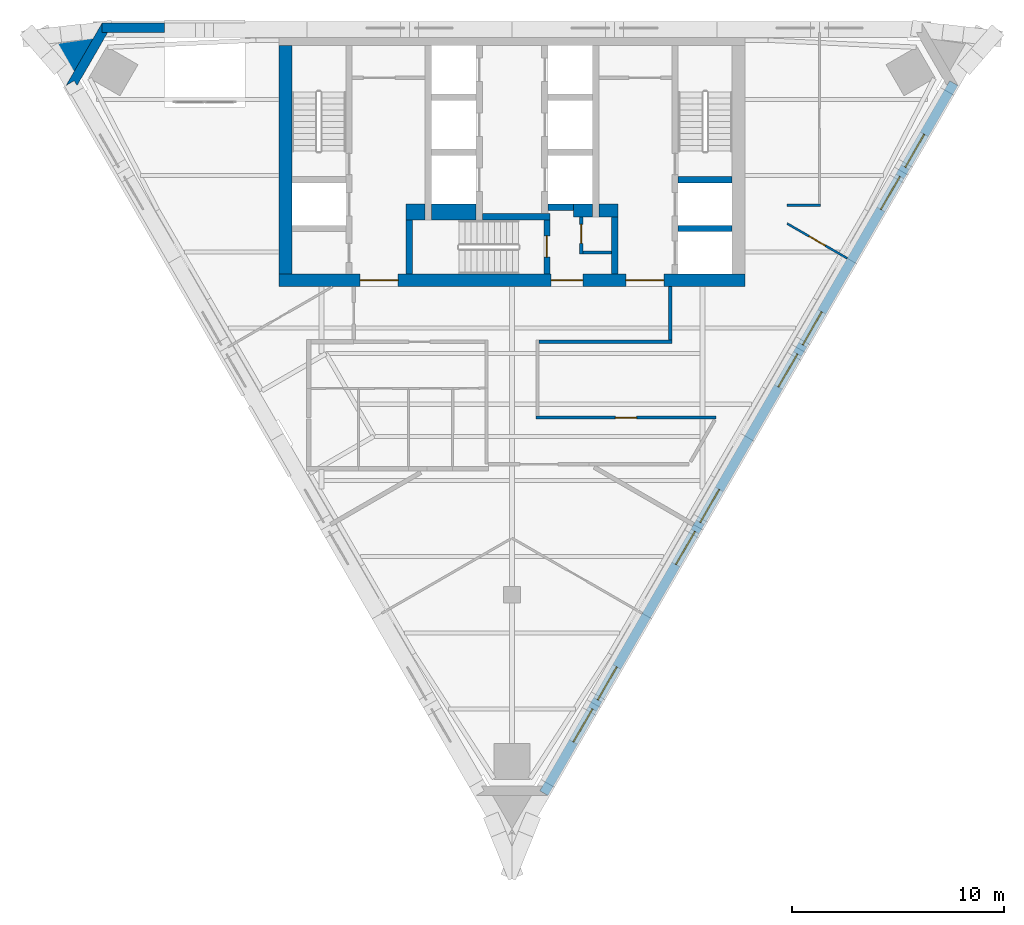
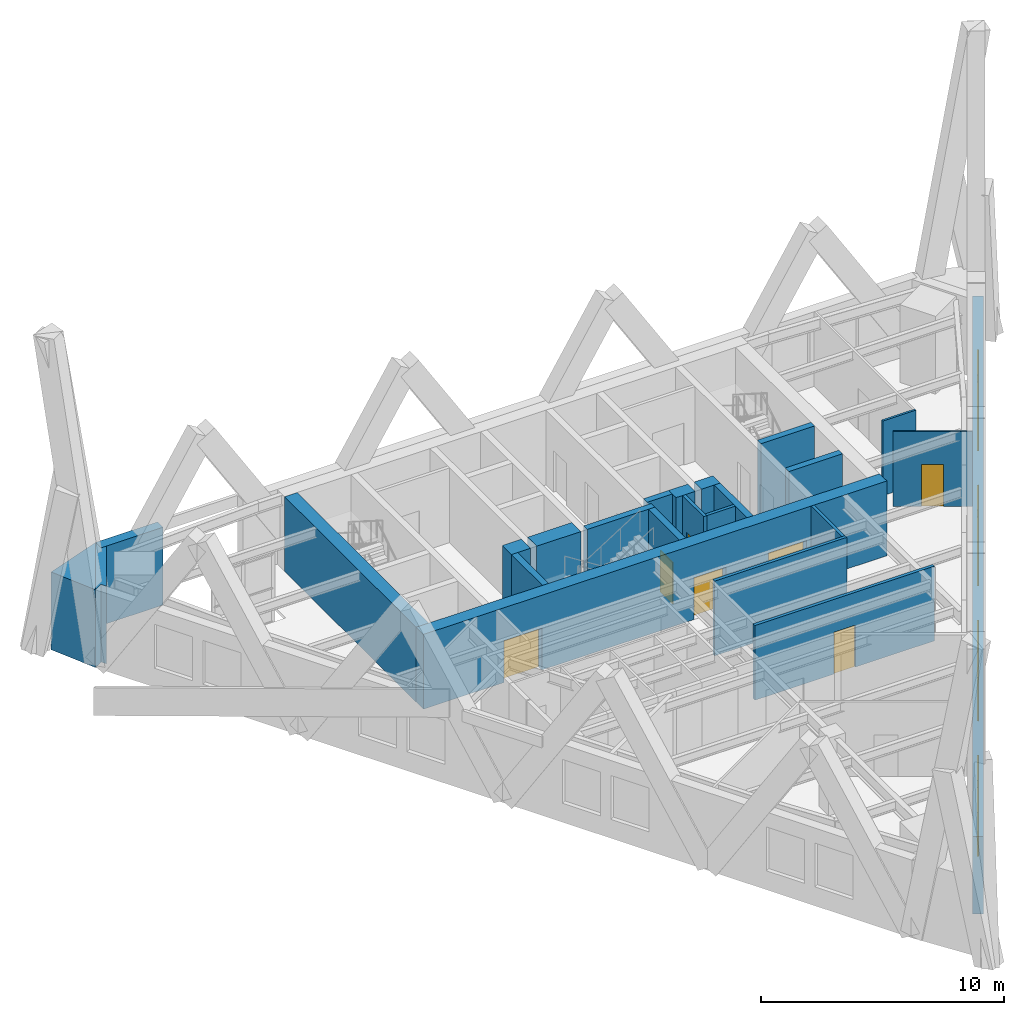
# One storey, part 5 of 9: 24 walls, 8 windows, 7 doors, 15 openings.
"""IFC4 building model written with IfcOpenShell, lengths in metres."""

from ifc_helpers import new_model, si_unit, direction, frame, frame_2d, origin, place, context, subcontext, project, spatial, polyline, rectangle, outline, extrude, material, layer, layer_set, type_object, element, fill, save


model = new_model("IFC4")

# Units and contexts
model_context = context("Model", 3, precision=1e-05, world=origin(), true_north=direction((0.0, 1.0)))
body_context = subcontext(model_context, "Body", "Model", "MODEL_VIEW")
ifc_project = project(units=[si_unit("LENGTHUNIT", "METRE"), si_unit("AREAUNIT", "SQUARE_METRE"), si_unit("VOLUMEUNIT", "CUBIC_METRE"), si_unit("PLANEANGLEUNIT", "RADIAN"), si_unit("MASSUNIT", "GRAM", prefix="KILO")], contexts=[model_context])

# Site, building, storey
site_placement = place(None, origin())
site = spatial("IfcSite", under=ifc_project, at=site_placement, CompositionType="ELEMENT")
building_placement = place(site_placement, origin())
building = spatial("IfcBuilding", under=site, at=building_placement, Name="Aloe Facet Convention Tower", CompositionType="ELEMENT")
storey_placement = place(building_placement, frame((0.0, 0.0, 195.800048828125)))
storey = spatial("IfcBuildingStorey", under=building, at=storey_placement, Name="L49", CompositionType="ELEMENT", Elevation=195.800048828125)

# Wall, opening, door
ifc_material_1 = material(Name="Concrete blockwork partition", Category="masonry")
ifc_layer_1 = layer(ifc_material_1, 0.14990234375)
ifc_layer_set_1 = layer_set([ifc_layer_1], Name="CR-W-PART150")
wall_type_1 = type_object("IfcWallType", Name="CR-W-PART150", PredefinedType="PARTITIONING", material=ifc_layer_set_1)
wall_1_placement = place(storey_placement, frame((83.27490234375, 125.85009765625, 0.0), z_axis=(0.0, 0.0, 1.0), x_axis=(0.0, -1.0, 0.0)))
wall_1 = element("IfcWall", 1, at=wall_1_placement, inside=storey, type_object=wall_type_1, Name="Core partition L49-022", PredefinedType="PARTITIONING", context=body_context, shape_type="SweptSolid", body=[
    extrude(rectangle(XDim=1.75, YDim=0.14990234375, at=frame_2d((0.875, 0.0))), origin(), (0.0, 0.0, 1.0), 3.75),
])
opening_1_placement = place(wall_1_placement, frame((0.35009765625, 0.0, 0.0)))
opening_1 = element("IfcOpeningElement", 2, at=opening_1_placement, cuts=wall_1, Name="Opening L49-CD12", PredefinedType="OPENING", context=body_context, shape_type="SweptSolid", body=[
    extrude(rectangle(XDim=0.89990234375, YDim=2.10009765625, at=frame_2d((0.449951171875, 1.050048828125))), frame((0.0, 0.0849609375, 0.0), z_axis=(0.0, -1.0, 0.0), x_axis=(1.0, 0.0, 0.0)), (0.0, 0.0, 1.0), 0.169921875),
])
ifc_material_2 = material(Name="Steel fire-resisting door set FD60", Category="steel")
door_type_1 = type_object("IfcDoorType", Name="CR-D-REFUGE-900-FD60-SRIGHT", OperationType="SINGLE_SWING_RIGHT", PredefinedType="DOOR", material=ifc_material_2)
door_1_placement = place(opening_1_placement, origin())
door_1 = element("IfcDoor", 3, at=door_1_placement, inside=storey, type_object=door_type_1, Name="Core door L49-CD12", OperationType="SINGLE_SWING_RIGHT", OverallHeight=2.10009765625, OverallWidth=0.89990234375, PredefinedType="DOOR", context=body_context, shape_type="SweptSolid", body=[
    extrude(rectangle(XDim=0.89990234375, YDim=2.10009765625, at=frame_2d((0.449951171875, 1.050048828125))), frame((0.0, 0.02490234375, 0.0), z_axis=(0.0, -1.0, 0.0), x_axis=(1.0, 0.0, 0.0)), (0.0, 0.0, 1.0), 0.050048828125),
])
fill(opening_1, door_1)

# Walls
wall_2_placement = place(storey_placement, frame((83.35009765625, 124.175048828125, 0.0), z_axis=(0.0, 0.0, 1.0), x_axis=(1.0, 0.0, 0.0)))
element("IfcWall", 4, at=wall_2_placement, inside=storey, type_object=wall_type_1, Name="Core partition L49-023", PredefinedType="PARTITIONING", context=body_context, shape_type="SweptSolid", body=[
    extrude(rectangle(XDim=1.349853515625, YDim=0.14990234375, at=frame_2d((0.6748046875, 0.0))), origin(), (0.0, 0.0, 1.0), 3.75),
])
ifc_material_3 = material(Name="Concrete C50/60", Category="concrete")
ifc_layer_2 = layer(ifc_material_3, 0.300048828125)
ifc_layer_set_2 = layer_set([ifc_layer_2], Name="CR-W-RC300-C5060")
wall_type_2 = type_object("IfcWallType", Name="CR-W-RC300-C5060", PredefinedType="SOLIDWALL", material=ifc_layer_set_2)
wall_3_placement = place(storey_placement, frame((75.14990234375, 125.699951171875, 0.0), z_axis=(0.0, 0.0, 1.0), x_axis=(0.0, -1.0, 0.0)))
element("IfcWall", 5, at=wall_3_placement, inside=storey, type_object=wall_type_2, Name="Core wall L49-009", PredefinedType="SOLIDWALL", context=body_context, shape_type="SweptSolid", body=[
    extrude(rectangle(XDim=2.550048828125, YDim=0.300048828125, at=frame_2d((1.27490234375, 0.0))), origin(), (0.0, 0.0, 1.0), 3.75),
])
wall_4_placement = place(storey_placement, frame((78.60009765625, 125.85009765625, 0.0), z_axis=(0.0, 0.0, 1.0), x_axis=(1.0, 0.0, 0.0)))
element("IfcWall", 6, at=wall_4_placement, inside=storey, type_object=wall_type_2, Name="Core wall L49-015", PredefinedType="SOLIDWALL", context=body_context, shape_type="SweptSolid", body=[
    extrude(rectangle(XDim=3.199951171875, YDim=0.300048828125, at=frame_2d((1.60009765625, 0.0))), origin(), (0.0, 0.0, 1.0), 3.75),
])

# Wall, opening, door
wall_5_placement = place(storey_placement, frame((81.64990234375, 125.699951171875, 0.0), z_axis=(0.0, 0.0, 1.0), x_axis=(0.0, -1.0, 0.0)))
wall_5 = element("IfcWall", 7, at=wall_5_placement, inside=storey, type_object=wall_type_2, Name="Core wall L49-017", PredefinedType="SOLIDWALL", context=body_context, shape_type="SweptSolid", body=[
    extrude(rectangle(XDim=2.550048828125, YDim=0.300048828125, at=frame_2d((1.27490234375, 0.0))), origin(), (0.0, 0.0, 1.0), 3.75),
])
opening_2_placement = place(wall_5_placement, frame((0.75, 0.0, 0.0)))
opening_2 = element("IfcOpeningElement", 8, at=opening_2_placement, cuts=wall_5, Name="Opening L49-CD18", PredefinedType="OPENING", context=body_context, shape_type="SweptSolid", body=[
    extrude(rectangle(XDim=1.0, YDim=2.10009765625, at=frame_2d((0.5, 1.050048828125))), frame((0.0, 0.16015625, 0.0), z_axis=(0.0, -1.0, 0.0), x_axis=(1.0, 0.0, 0.0)), (0.0, 0.0, 1.0), 0.320068359375),
])
ifc_material_4 = material(Name="Steel fire-resisting door set FD120", Category="steel")
door_type_2 = type_object("IfcDoorType", Name="CR-D-STAIR-1000-FD120-SLEFT", OperationType="SINGLE_SWING_LEFT", PredefinedType="DOOR", material=ifc_material_4)
door_2_placement = place(opening_2_placement, origin())
door_2 = element("IfcDoor", 9, at=door_2_placement, inside=storey, type_object=door_type_2, Name="Core door L49-CD18", OperationType="SINGLE_SWING_LEFT", OverallHeight=2.10009765625, OverallWidth=1.0, PredefinedType="DOOR", context=body_context, shape_type="SweptSolid", body=[
    extrude(rectangle(XDim=1.0, YDim=2.10009765625, at=frame_2d((0.5, 1.050048828125))), frame((0.0, 0.02490234375, 0.0), z_axis=(0.0, -1.0, 0.0), x_axis=(1.0, 0.0, 0.0)), (0.0, 0.0, 1.0), 0.050048828125),
])
fill(opening_2, door_2)

# Walls
wall_6_placement = place(storey_placement, frame((81.699951171875, 126.300048828125, 0.0), z_axis=(0.0, 0.0, 1.0), x_axis=(1.0, 0.0, 0.0)))
element("IfcWall", 10, at=wall_6_placement, inside=storey, type_object=wall_type_2, Name="Core wall L49-020", PredefinedType="SOLIDWALL", context=body_context, shape_type="SweptSolid", body=[
    extrude(rectangle(XDim=1.199951171875, YDim=0.300048828125, at=frame_2d((0.60009765625, 0.0))), origin(), (0.0, 0.0, 1.0), 3.75),
])
wall_7_placement = place(storey_placement, frame((84.85009765625, 125.85009765625, 0.0), z_axis=(0.0, 0.0, 1.0), x_axis=(0.0, -1.0, 0.0)))
element("IfcWall", 11, at=wall_7_placement, inside=storey, type_object=wall_type_2, Name="Core wall L49-027", PredefinedType="SOLIDWALL", context=body_context, shape_type="SweptSolid", body=[
    extrude(rectangle(XDim=2.7001953125, YDim=0.300048828125, at=frame_2d((1.35009765625, 0.0))), origin(), (0.0, 0.0, 1.0), 3.75),
])
for number, where, z_axis, x_axis, name in (
    (12, (87.85009765625, 127.60009765625, 0.0), (0.0, 0.0, 1.0), (1.0, 0.0, 0.0), "Core wall L49-029"),
    (13, (87.85009765625, 125.300048828125, 0.0), (0.0, 0.0, 1.0), (1.0, 0.0, 0.0), "Core wall L49-030"),
):
    element("IfcWall", number, at=place(storey_placement, frame(where, z_axis=z_axis, x_axis=x_axis)), inside=storey, type_object=wall_type_2, Name=name, PredefinedType="SOLIDWALL", context=body_context, shape_type="SweptSolid", body=[
        extrude(rectangle(XDim=2.5498046875, YDim=0.300048828125, at=frame_2d((1.27490234375, 0.0))), origin(), (0.0, 0.0, 1.0), 3.75),
    ])
ifc_material_5 = material(Name="Concrete C50/60", Category="concrete")
ifc_layer_3 = layer(ifc_material_5, 0.60009765625)
ifc_layer_set_3 = layer_set([ifc_layer_3], Name="CR-W-RC600-C5060")
wall_type_3 = type_object("IfcWallType", Name="CR-W-RC600-C5060", PredefinedType="SOLIDWALL", material=ifc_layer_set_3)
wall_8_placement = place(storey_placement, frame((69.300048828125, 133.949951171875, 0.0), z_axis=(0.0, 0.0, 1.0), x_axis=(0.0, -1.0, 0.0)))
element("IfcWall", 14, at=wall_8_placement, inside=storey, type_object=wall_type_3, Name="Core wall L49-002", PredefinedType="SOLIDWALL", context=body_context, shape_type="SweptSolid", body=[
    extrude(rectangle(XDim=10.800048828125, YDim=0.60009765625, at=frame_2d((5.39990234375, 0.0))), origin(), (0.0, 0.0, 1.0), 3.75),
])

# Wall, openings, doors
wall_9_placement = place(storey_placement, frame((69.0, 122.85009765625, 0.0), z_axis=(0.0, 0.0, 1.0), x_axis=(1.0, 0.0, 0.0)))
wall_9 = element("IfcWall", 15, at=wall_9_placement, inside=storey, type_object=wall_type_3, Name="Core wall L49-003", PredefinedType="SOLIDWALL", context=body_context, shape_type="SweptSolid", body=[
    extrude(rectangle(XDim=22.0, YDim=0.60009765625, at=frame_2d((11.0, 0.0))), origin(), (0.0, 0.0, 1.0), 3.75),
])
opening_3_placement = place(wall_9_placement, frame((16.375, 0.0, 0.0)))
opening_3 = element("IfcOpeningElement", 16, at=opening_3_placement, cuts=wall_9, Name="Opening L49-CD09", PredefinedType="OPENING", context=body_context, shape_type="SweptSolid", body=[
    extrude(rectangle(XDim=1.800048828125, YDim=2.10009765625, at=frame_2d((0.89990234375, 1.050048828125))), frame((0.0, 0.31005859375, 0.0), z_axis=(0.0, -1.0, 0.0), x_axis=(1.0, 0.0, 0.0)), (0.0, 0.0, 1.0), 0.6201171875),
])
opening_4_placement = place(wall_9_placement, frame((3.824951171875, 0.0, 0.0)))
opening_4 = element("IfcOpeningElement", 17, at=opening_4_placement, cuts=wall_9, Name="Opening L49-CD10", PredefinedType="OPENING", context=body_context, shape_type="SweptSolid", body=[
    extrude(rectangle(XDim=1.800048828125, YDim=2.10009765625, at=frame_2d((0.89990234375, 1.050048828125))), frame((0.0, 0.31005859375, 0.0), z_axis=(0.0, -1.0, 0.0), x_axis=(1.0, 0.0, 0.0)), (0.0, 0.0, 1.0), 0.6201171875),
])
opening_5_placement = place(wall_9_placement, frame((12.85009765625, 0.0, 0.0)))
opening_5 = element("IfcOpeningElement", 18, at=opening_5_placement, cuts=wall_9, Name="Opening L49-CD11", PredefinedType="OPENING", context=body_context, shape_type="SweptSolid", body=[
    extrude(rectangle(XDim=1.5, YDim=2.10009765625, at=frame_2d((0.75, 1.050048828125))), frame((0.0, 0.31005859375, 0.0), z_axis=(0.0, -1.0, 0.0), x_axis=(1.0, 0.0, 0.0)), (0.0, 0.0, 1.0), 0.6201171875),
])
ifc_material_6 = material(Name="Steel fire-resisting door set FD60", Category="steel")
door_type_3 = type_object("IfcDoorType", Name="CR-D-EXIT-1500-FD60-DD", OperationType="DOUBLE_DOOR_DOUBLE_SWING", PredefinedType="DOOR", material=ifc_material_6)
door_3_placement = place(opening_5_placement, origin())
door_3 = element("IfcDoor", 19, at=door_3_placement, inside=storey, type_object=door_type_3, Name="Core door L49-CD11", OperationType="DOUBLE_DOOR_DOUBLE_SWING", OverallHeight=2.10009765625, OverallWidth=1.5, PredefinedType="DOOR", context=body_context, shape_type="SweptSolid", body=[
    extrude(rectangle(XDim=1.5, YDim=2.10009765625, at=frame_2d((0.75, 1.050048828125))), frame((0.0, 0.02490234375, 0.0), z_axis=(0.0, -1.0, 0.0), x_axis=(1.0, 0.0, 0.0)), (0.0, 0.0, 1.0), 0.050048828125),
])
fill(opening_5, door_3)
ifc_material_7 = material(Name="Steel fire-resisting door set FD120", Category="steel")
door_type_4 = type_object("IfcDoorType", Name="CR-D-EXIT-1800-FD120-DD", OperationType="DOUBLE_DOOR_DOUBLE_SWING", PredefinedType="DOOR", material=ifc_material_7)
door_4_placement = place(opening_3_placement, origin())
door_4 = element("IfcDoor", 20, at=door_4_placement, inside=storey, type_object=door_type_4, Name="Core door L49-CD09", OperationType="DOUBLE_DOOR_DOUBLE_SWING", OverallHeight=2.10009765625, OverallWidth=1.800048828125, PredefinedType="DOOR", context=body_context, shape_type="SweptSolid", body=[
    extrude(rectangle(XDim=1.800048828125, YDim=2.10009765625, at=frame_2d((0.89990234375, 1.050048828125))), frame((0.0, 0.02490234375, 0.0), z_axis=(0.0, -1.0, 0.0), x_axis=(1.0, 0.0, 0.0)), (0.0, 0.0, 1.0), 0.050048828125),
])
fill(opening_3, door_4)
door_5_placement = place(opening_4_placement, origin())
door_5 = element("IfcDoor", 21, at=door_5_placement, inside=storey, type_object=door_type_4, Name="Core door L49-CD10", OperationType="DOUBLE_DOOR_DOUBLE_SWING", OverallHeight=2.10009765625, OverallWidth=1.800048828125, PredefinedType="DOOR", context=body_context, shape_type="SweptSolid", body=[
    extrude(rectangle(XDim=1.800048828125, YDim=2.10009765625, at=frame_2d((0.89990234375, 1.050048828125))), frame((0.0, 0.02490234375, 0.0), z_axis=(0.0, -1.0, 0.0), x_axis=(1.0, 0.0, 0.0)), (0.0, 0.0, 1.0), 0.050048828125),
])
fill(opening_4, door_5)

# Walls
wall_10_placement = place(storey_placement, frame((82.89990234375, 126.14990234375, 0.0), z_axis=(0.0, 0.0, 1.0), x_axis=(1.0, 0.0, 0.0)))
element("IfcWall", 22, at=wall_10_placement, inside=storey, type_object=wall_type_3, Name="Core wall L49-021", PredefinedType="SOLIDWALL", context=body_context, shape_type="SweptSolid", body=[
    extrude(rectangle(XDim=0.900146484375, YDim=0.60009765625, at=frame_2d((0.4501953125, 0.0))), origin(), (0.0, 0.0, 1.0), 3.75),
])
wall_11_placement = place(storey_placement, frame((84.10009765625, 126.14990234375, 0.0), z_axis=(0.0, 0.0, 1.0), x_axis=(1.0, 0.0, 0.0)))
element("IfcWall", 23, at=wall_11_placement, inside=storey, type_object=wall_type_3, Name="Core wall L49-026", PredefinedType="SOLIDWALL", context=body_context, shape_type="SweptSolid", body=[
    extrude(rectangle(XDim=0.89990234375, YDim=0.60009765625, at=frame_2d((0.449951171875, 0.0))), origin(), (0.0, 0.0, 1.0), 3.75),
])
ifc_material_8 = material(Name="Concrete C50/60", Category="concrete")
ifc_layer_4 = layer(ifc_material_8, 0.75)
ifc_layer_set_4 = layer_set([ifc_layer_4], Name="CR-W-RC750-C5060")
wall_type_4 = type_object("IfcWallType", Name="CR-W-RC750-C5060", PredefinedType="SOLIDWALL", material=ifc_layer_set_4)
wall_12_placement = place(storey_placement, frame((75.0, 126.074951171875, 0.0), z_axis=(0.0, 0.0, 1.0), x_axis=(1.0, 0.0, 0.0)))
element("IfcWall", 24, at=wall_12_placement, inside=storey, type_object=wall_type_4, Name="Core wall L49-008", PredefinedType="SOLIDWALL", context=body_context, shape_type="SweptSolid", body=[
    extrude(rectangle(XDim=0.89990234375, YDim=0.75, at=frame_2d((0.449951171875, 0.0))), origin(), (0.0, 0.0, 1.0), 3.75),
])
wall_13_placement = place(storey_placement, frame((76.199951171875, 126.074951171875, 0.0), z_axis=(0.0, 0.0, 1.0), x_axis=(1.0, 0.0, 0.0)))
element("IfcWall", 25, at=wall_13_placement, inside=storey, type_object=wall_type_4, Name="Core wall L49-013", PredefinedType="SOLIDWALL", context=body_context, shape_type="SweptSolid", body=[
    extrude(rectangle(XDim=2.10009765625, YDim=0.75, at=frame_2d((1.050048828125, 0.0))), origin(), (0.0, 0.0, 1.0), 3.75),
])
ifc_material_9 = material(Name="Precast concrete C40/50", Category="concrete")
ifc_layer_5 = layer(ifc_material_9, 0.449951171875)
ifc_layer_set_5 = layer_set([ifc_layer_5], Name="EV-WALL-PIER")
wall_type_5 = type_object("IfcWallType", Name="EV-WALL-PIER", PredefinedType="SOLIDWALL", material=ifc_layer_set_5)
wall_14_placement = place(storey_placement, frame((0.0, 0.0, -0.150146484375)))
element("IfcWall", 26, at=wall_14_placement, inside=storey, type_object=wall_type_5, Name="EP-L49-A", PredefinedType="SOLIDWALL", context=body_context, shape_type="SweptSolid", body=[
    extrude(outline(polyline([(60.635498046875, 135.0), (60.635498046875, 134.550048828125), (60.895263671875, 134.550048828125), (59.455078125, 132.055419921875), (59.3251953125, 132.280517578125), (58.935302734375, 132.055419921875), (60.635498046875, 135.0)])), origin(), (0.0, 0.0, 1.0), 3.900146484375),
])
ifc_material_10 = material(Name="Precast concrete C40/50", Category="concrete")
ifc_layer_6 = layer(ifc_material_10, 3.947998046875)
ifc_layer_set_6 = layer_set([ifc_layer_6], Name="EV-WALL-SPINE")
wall_type_6 = type_object("IfcWallType", Name="EV-WALL-SPINE", PredefinedType="SOLIDWALL", material=ifc_layer_set_6)
wall_15_placement = place(storey_placement, frame((0.0, 0.0, -0.150146484375)))
element("IfcWall", 27, at=wall_15_placement, inside=storey, type_object=wall_type_6, Name="SP-NW-L49", PredefinedType="SOLIDWALL", context=body_context, shape_type="SweptSolid", body=[
    extrude(outline(polyline([(60.635498046875, 135.0), (57.994140625, 134.08056640625), (58.935302734375, 132.055419921875), (60.635498046875, 135.0)])), origin(), (0.0, 0.0, 1.0), 3.900146484375),
])
ifc_material_11 = material(Name="Precast concrete C40/50", Category="concrete")
ifc_layer_7 = layer(ifc_material_11, 0.449951171875)
ifc_layer_set_7 = layer_set([ifc_layer_7], Name="EV-WALL-STONE")
wall_type_7 = type_object("IfcWallType", Name="EV-WALL-STONE", PredefinedType="SOLIDWALL", material=ifc_layer_set_7)
wall_16_placement = place(storey_placement, frame((63.576416015625, 134.77490234375, -0.150146484375), z_axis=(0.0, 0.0, 1.0), x_axis=(-1.0, 0.0, 0.0)))
element("IfcWall", 28, at=wall_16_placement, inside=storey, type_object=wall_type_7, Name="EW-L49-N02", PredefinedType="SOLIDWALL", context=body_context, shape_type="SweptSolid", body=[
    extrude(outline(polyline([(2.941162109375, 3.900146484375), (2.941162109375, 0.0), (0.0, 0.0), (0.0, 3.900146484375), (2.941162109375, 3.900146484375)])), frame((0.0, 0.22509765625, 0.0), z_axis=(0.0, -1.0, 0.0), x_axis=(1.0, 0.0, 0.0)), (0.0, 0.0, 1.0), 0.449951171875),
])

# Wall, openings, windows
wall_17_placement = place(storey_placement, frame((81.505126953125, 98.62744140625, -0.150146484375), z_axis=(0.0, 0.0, 1.0), x_axis=(0.500002199942, 0.866024133644, 0.0)))
wall_17 = element("IfcWall", 29, at=wall_17_placement, inside=storey, type_object=wall_type_7, Name="EW-L49-E01", PredefinedType="SOLIDWALL", context=body_context, shape_type="SweptSolid", body=[
    extrude(outline(polyline([(38.729248046875, 0.0), (38.729248046875, 3.900146484375), (0.0, 3.900146484375), (0.0, 0.0), (38.729248046875, 0.0)])), frame((0.0, 0.22509765625, 0.0), z_axis=(0.0, -1.0, 0.0), x_axis=(1.0, 0.0, 0.0)), (0.0, 0.0, 1.0), 0.449951171875),
])
opening_6_placement = place(wall_17_placement, frame((2.791259765625, 0.0, 0.949951171875)))
opening_6 = element("IfcOpeningElement", 30, at=opening_6_placement, cuts=wall_17, Name="Opening W-L49-E01", PredefinedType="OPENING", context=body_context, shape_type="SweptSolid", body=[
    extrude(rectangle(XDim=1.800048828125, YDim=2.199951171875, at=frame_2d((0.89990234375, 1.10009765625))), frame((0.0, 0.23486328125, 0.0), z_axis=(0.0, -1.0, 0.0), x_axis=(1.0, 0.0, 0.0)), (0.0, 0.0, 1.0), 0.469970703125),
])
opening_7_placement = place(wall_17_placement, frame((5.091064453125, 0.0, 0.949951171875)))
opening_7 = element("IfcOpeningElement", 31, at=opening_7_placement, cuts=wall_17, Name="Opening W-L49-E02", PredefinedType="OPENING", context=body_context, shape_type="SweptSolid", body=[
    extrude(rectangle(XDim=1.800048828125, YDim=2.199951171875, at=frame_2d((0.89990234375, 1.10009765625))), frame((0.0, 0.23486328125, 0.0), z_axis=(0.0, -1.0, 0.0), x_axis=(1.0, 0.0, 0.0)), (0.0, 0.0, 1.0), 0.469970703125),
])
opening_8_placement = place(wall_17_placement, frame((12.473388671875, 0.0, 0.949951171875)))
opening_8 = element("IfcOpeningElement", 32, at=opening_8_placement, cuts=wall_17, Name="Opening W-L49-E03", PredefinedType="OPENING", context=body_context, shape_type="SweptSolid", body=[
    extrude(rectangle(XDim=1.800048828125, YDim=2.199951171875, at=frame_2d((0.89990234375, 1.10009765625))), frame((0.0, 0.23486328125, 0.0), z_axis=(0.0, -1.0, 0.0), x_axis=(1.0, 0.0, 0.0)), (0.0, 0.0, 1.0), 0.469970703125),
])
opening_9_placement = place(wall_17_placement, frame((14.7734375, 0.0, 0.949951171875)))
opening_9 = element("IfcOpeningElement", 33, at=opening_9_placement, cuts=wall_17, Name="Opening W-L49-E04", PredefinedType="OPENING", context=body_context, shape_type="SweptSolid", body=[
    extrude(rectangle(XDim=1.800048828125, YDim=2.199951171875, at=frame_2d((0.89990234375, 1.10009765625))), frame((0.0, 0.23486328125, 0.0), z_axis=(0.0, -1.0, 0.0), x_axis=(1.0, 0.0, 0.0)), (0.0, 0.0, 1.0), 0.469970703125),
])
opening_10_placement = place(wall_17_placement, frame((22.15576171875, 0.0, 0.949951171875)))
opening_10 = element("IfcOpeningElement", 34, at=opening_10_placement, cuts=wall_17, Name="Opening W-L49-E05", PredefinedType="OPENING", context=body_context, shape_type="SweptSolid", body=[
    extrude(rectangle(XDim=1.800048828125, YDim=2.199951171875, at=frame_2d((0.89990234375, 1.10009765625))), frame((0.0, 0.23486328125, 0.0), z_axis=(0.0, -1.0, 0.0), x_axis=(1.0, 0.0, 0.0)), (0.0, 0.0, 1.0), 0.469970703125),
])
opening_11_placement = place(wall_17_placement, frame((24.455810546875, 0.0, 0.949951171875)))
opening_11 = element("IfcOpeningElement", 35, at=opening_11_placement, cuts=wall_17, Name="Opening W-L49-E06", PredefinedType="OPENING", context=body_context, shape_type="SweptSolid", body=[
    extrude(rectangle(XDim=1.800048828125, YDim=2.199951171875, at=frame_2d((0.89990234375, 1.10009765625))), frame((0.0, 0.23486328125, 0.0), z_axis=(0.0, -1.0, 0.0), x_axis=(1.0, 0.0, 0.0)), (0.0, 0.0, 1.0), 0.469970703125),
])
opening_12_placement = place(wall_17_placement, frame((31.838134765625, 0.0, 0.949951171875)))
opening_12 = element("IfcOpeningElement", 36, at=opening_12_placement, cuts=wall_17, Name="Opening W-L49-E07", PredefinedType="OPENING", context=body_context, shape_type="SweptSolid", body=[
    extrude(rectangle(XDim=1.800048828125, YDim=2.199951171875, at=frame_2d((0.89990234375, 1.10009765625))), frame((0.0, 0.23486328125, 0.0), z_axis=(0.0, -1.0, 0.0), x_axis=(1.0, 0.0, 0.0)), (0.0, 0.0, 1.0), 0.469970703125),
])
opening_13_placement = place(wall_17_placement, frame((34.13818359375, 0.0, 0.949951171875)))
opening_13 = element("IfcOpeningElement", 37, at=opening_13_placement, cuts=wall_17, Name="Opening W-L49-E08", PredefinedType="OPENING", context=body_context, shape_type="SweptSolid", body=[
    extrude(rectangle(XDim=1.800048828125, YDim=2.199951171875, at=frame_2d((0.89990234375, 1.10009765625))), frame((0.0, 0.23486328125, 0.0), z_axis=(0.0, -1.0, 0.0), x_axis=(1.0, 0.0, 0.0)), (0.0, 0.0, 1.0), 0.469970703125),
])
ifc_material_12 = material(Name="Aluminium frame, clear double glazing", Category="aluminium")
window_type = type_object("IfcWindowType", Name="EV-WIN-O18", PartitioningType="SINGLE_PANEL", PredefinedType="WINDOW", material=ifc_material_12)
window_1_placement = place(opening_6_placement, origin())
window_1 = element("IfcWindow", 38, at=window_1_placement, inside=storey, type_object=window_type, Name="W-L49-E01", OverallHeight=2.199951171875, OverallWidth=1.800048828125, PartitioningType="SINGLE_PANEL", PredefinedType="WINDOW", context=body_context, shape_type="SweptSolid", body=[
    extrude(rectangle(XDim=1.800048828125, YDim=2.199951171875, at=frame_2d((0.89990234375, 1.10009765625))), frame((0.0, 0.030029296875, 0.0), z_axis=(0.0, -1.0, 0.0), x_axis=(1.0, 0.0, 0.0)), (0.0, 0.0, 1.0), 0.06005859375),
])
fill(opening_6, window_1)
window_2_placement = place(opening_7_placement, origin())
window_2 = element("IfcWindow", 39, at=window_2_placement, inside=storey, type_object=window_type, Name="W-L49-E02", OverallHeight=2.199951171875, OverallWidth=1.800048828125, PartitioningType="SINGLE_PANEL", PredefinedType="WINDOW", context=body_context, shape_type="SweptSolid", body=[
    extrude(rectangle(XDim=1.800048828125, YDim=2.199951171875, at=frame_2d((0.89990234375, 1.10009765625))), frame((0.0, 0.030029296875, 0.0), z_axis=(0.0, -1.0, 0.0), x_axis=(1.0, 0.0, 0.0)), (0.0, 0.0, 1.0), 0.06005859375),
])
fill(opening_7, window_2)
window_3_placement = place(opening_8_placement, origin())
window_3 = element("IfcWindow", 40, at=window_3_placement, inside=storey, type_object=window_type, Name="W-L49-E03", OverallHeight=2.199951171875, OverallWidth=1.800048828125, PartitioningType="SINGLE_PANEL", PredefinedType="WINDOW", context=body_context, shape_type="SweptSolid", body=[
    extrude(rectangle(XDim=1.800048828125, YDim=2.199951171875, at=frame_2d((0.89990234375, 1.10009765625))), frame((0.0, 0.030029296875, 0.0), z_axis=(0.0, -1.0, 0.0), x_axis=(1.0, 0.0, 0.0)), (0.0, 0.0, 1.0), 0.06005859375),
])
fill(opening_8, window_3)
window_4_placement = place(opening_9_placement, origin())
window_4 = element("IfcWindow", 41, at=window_4_placement, inside=storey, type_object=window_type, Name="W-L49-E04", OverallHeight=2.199951171875, OverallWidth=1.800048828125, PartitioningType="SINGLE_PANEL", PredefinedType="WINDOW", context=body_context, shape_type="SweptSolid", body=[
    extrude(rectangle(XDim=1.800048828125, YDim=2.199951171875, at=frame_2d((0.89990234375, 1.10009765625))), frame((0.0, 0.030029296875, 0.0), z_axis=(0.0, -1.0, 0.0), x_axis=(1.0, 0.0, 0.0)), (0.0, 0.0, 1.0), 0.06005859375),
])
fill(opening_9, window_4)
window_5_placement = place(opening_10_placement, origin())
window_5 = element("IfcWindow", 42, at=window_5_placement, inside=storey, type_object=window_type, Name="W-L49-E05", OverallHeight=2.199951171875, OverallWidth=1.800048828125, PartitioningType="SINGLE_PANEL", PredefinedType="WINDOW", context=body_context, shape_type="SweptSolid", body=[
    extrude(rectangle(XDim=1.800048828125, YDim=2.199951171875, at=frame_2d((0.89990234375, 1.10009765625))), frame((0.0, 0.030029296875, 0.0), z_axis=(0.0, -1.0, 0.0), x_axis=(1.0, 0.0, 0.0)), (0.0, 0.0, 1.0), 0.06005859375),
])
fill(opening_10, window_5)
window_6_placement = place(opening_11_placement, origin())
window_6 = element("IfcWindow", 43, at=window_6_placement, inside=storey, type_object=window_type, Name="W-L49-E06", OverallHeight=2.199951171875, OverallWidth=1.800048828125, PartitioningType="SINGLE_PANEL", PredefinedType="WINDOW", context=body_context, shape_type="SweptSolid", body=[
    extrude(rectangle(XDim=1.800048828125, YDim=2.199951171875, at=frame_2d((0.89990234375, 1.10009765625))), frame((0.0, 0.030029296875, 0.0), z_axis=(0.0, -1.0, 0.0), x_axis=(1.0, 0.0, 0.0)), (0.0, 0.0, 1.0), 0.06005859375),
])
fill(opening_11, window_6)
window_7_placement = place(opening_12_placement, origin())
window_7 = element("IfcWindow", 44, at=window_7_placement, inside=storey, type_object=window_type, Name="W-L49-E07", OverallHeight=2.199951171875, OverallWidth=1.800048828125, PartitioningType="SINGLE_PANEL", PredefinedType="WINDOW", context=body_context, shape_type="SweptSolid", body=[
    extrude(rectangle(XDim=1.800048828125, YDim=2.199951171875, at=frame_2d((0.89990234375, 1.10009765625))), frame((0.0, 0.030029296875, 0.0), z_axis=(0.0, -1.0, 0.0), x_axis=(1.0, 0.0, 0.0)), (0.0, 0.0, 1.0), 0.06005859375),
])
fill(opening_12, window_7)
window_8_placement = place(opening_13_placement, origin())
window_8 = element("IfcWindow", 45, at=window_8_placement, inside=storey, type_object=window_type, Name="W-L49-E08", OverallHeight=2.199951171875, OverallWidth=1.800048828125, PartitioningType="SINGLE_PANEL", PredefinedType="WINDOW", context=body_context, shape_type="SweptSolid", body=[
    extrude(rectangle(XDim=1.800048828125, YDim=2.199951171875, at=frame_2d((0.89990234375, 1.10009765625))), frame((0.0, 0.030029296875, 0.0), z_axis=(0.0, -1.0, 0.0), x_axis=(1.0, 0.0, 0.0)), (0.0, 0.0, 1.0), 0.06005859375),
])
fill(opening_13, window_8)

# Wall, opening, door
ifc_material_13 = material(Name="Gypsum board partition on steel studs", Category="steel")
ifc_layer_8 = layer(ifc_material_13, 0.14990234375)
ifc_layer_set_8 = layer_set([ifc_layer_8], Name="IN-W-CORR")
wall_type_8 = type_object("IfcWallType", Name="IN-W-CORR", PredefinedType="PARTITIONING", material=ifc_layer_set_8)
wall_18_placement = place(storey_placement, frame((81.125, 116.36669921875, 0.0), z_axis=(0.0, 0.0, 1.0), x_axis=(1.0, 0.0, 0.0)))
wall_18 = element("IfcWall", 46, at=wall_18_placement, inside=storey, type_object=wall_type_8, Name="Partition L49-W015", PredefinedType="PARTITIONING", context=body_context, shape_type="SweptSolid", body=[
    extrude(rectangle(XDim=8.5146484375, YDim=0.14990234375, at=frame_2d((4.25732421875, 0.0))), origin(), (0.0, 0.0, 1.0), 3.75),
])
opening_14_placement = place(wall_18_placement, frame((3.75732421875, 0.0, 0.0)))
opening_14 = element("IfcOpeningElement", 47, at=opening_14_placement, cuts=wall_18, Name="Opening L49-009", PredefinedType="OPENING", context=body_context, shape_type="SweptSolid", body=[
    extrude(rectangle(XDim=1.0, YDim=2.10009765625, at=frame_2d((0.5, 1.050048828125))), frame((0.0, 0.0849609375, 0.0), z_axis=(0.0, -1.0, 0.0), x_axis=(1.0, 0.0, 0.0)), (0.0, 0.0, 1.0), 0.169921875),
])
ifc_material_14 = material(Name="Timber door FD30S with vision panel", Category="wood")
door_type_5 = type_object("IfcDoorType", Name="IN-OFF-D-ENTRY", OperationType="SINGLE_SWING_LEFT", PredefinedType="DOOR", material=ifc_material_14)
door_6_placement = place(opening_14_placement, origin())
door_6 = element("IfcDoor", 48, at=door_6_placement, inside=storey, type_object=door_type_5, Name="Door L49-009", OperationType="SINGLE_SWING_LEFT", OverallHeight=2.10009765625, OverallWidth=1.0, PredefinedType="DOOR", context=body_context, shape_type="SweptSolid", body=[
    extrude(rectangle(XDim=1.0, YDim=2.10009765625, at=frame_2d((0.5, 1.050048828125))), frame((0.0, 0.02490234375, 0.0), z_axis=(0.0, -1.0, 0.0), x_axis=(1.0, 0.0, 0.0)), (0.0, 0.0, 1.0), 0.050048828125),
])
fill(opening_14, door_6)

# Walls
wall_19_placement = place(storey_placement, frame((81.27490234375, 119.949951171875, 0.0), z_axis=(0.0, 0.0, 1.0), x_axis=(1.0, 0.0, 0.0)))
element("IfcWall", 49, at=wall_19_placement, inside=storey, type_object=wall_type_8, Name="Partition L49-W032", PredefinedType="PARTITIONING", context=body_context, shape_type="SweptSolid", body=[
    extrude(rectangle(XDim=6.275146484375, YDim=0.14990234375, at=frame_2d((3.1376953125, 0.0))), origin(), (0.0, 0.0, 1.0), 3.75),
])
wall_20_placement = place(storey_placement, frame((87.47509765625, 120.02490234375, 0.0), z_axis=(0.0, 0.0, 1.0), x_axis=(0.0, 1.0, 0.0)))
element("IfcWall", 50, at=wall_20_placement, inside=storey, type_object=wall_type_8, Name="Partition L49-W033", PredefinedType="PARTITIONING", context=body_context, shape_type="SweptSolid", body=[
    extrude(rectangle(XDim=2.525146484375, YDim=0.14990234375, at=frame_2d((1.2626953125, 0.0))), origin(), (0.0, 0.0, 1.0), 3.75),
])

# Wall, opening, door
ifc_material_15 = material(Name="Gypsum board partition on steel studs", Category="steel")
ifc_layer_9 = layer(ifc_material_15, 0.10009765625)
ifc_layer_set_9 = layer_set([ifc_layer_9], Name="IN-W-PART")
wall_type_9 = type_object("IfcWallType", Name="IN-W-PART", PredefinedType="PARTITIONING", material=ifc_layer_set_9)
wall_21_placement = place(storey_placement, frame((93.0, 125.531494140625, 0.0), z_axis=(0.0, 0.0, 1.0), x_axis=(0.866035243948, -0.499982955949, 0.0)))
wall_21 = element("IfcWall", 51, at=wall_21_placement, inside=storey, type_object=wall_type_9, Name="Partition L49-W034", PredefinedType="PARTITIONING", context=body_context, shape_type="SweptSolid", body=[
    extrude(rectangle(XDim=3.27197265625, YDim=0.10009765625, at=frame_2d((1.635986328125, 0.0))), origin(), (0.0, 0.0, 1.0), 3.75),
])
opening_15_placement = place(wall_21_placement, frame((1.18603515625, 0.0, 0.0)))
opening_15 = element("IfcOpeningElement", 52, at=opening_15_placement, cuts=wall_21, Name="Opening L49-010", PredefinedType="OPENING", context=body_context, shape_type="SweptSolid", body=[
    extrude(rectangle(XDim=0.89990234375, YDim=2.10009765625, at=frame_2d((0.449951171875, 1.050048828125))), frame((0.0, 0.06005859375, 0.0), z_axis=(0.0, -1.0, 0.0), x_axis=(1.0, 0.0, 0.0)), (0.0, 0.0, 1.0), 0.1201171875),
])
ifc_material_16 = material(Name="Timber door", Category="wood")
door_type_6 = type_object("IfcDoorType", Name="IN-OFF-D-ROOM", OperationType="SINGLE_SWING_LEFT", PredefinedType="DOOR", material=ifc_material_16)
door_7_placement = place(opening_15_placement, origin())
door_7 = element("IfcDoor", 53, at=door_7_placement, inside=storey, type_object=door_type_6, Name="Door L49-010", OperationType="SINGLE_SWING_LEFT", OverallHeight=2.10009765625, OverallWidth=0.89990234375, PredefinedType="DOOR", context=body_context, shape_type="SweptSolid", body=[
    extrude(rectangle(XDim=0.89990234375, YDim=2.10009765625, at=frame_2d((0.449951171875, 1.050048828125))), frame((0.0, 0.02490234375, 0.0), z_axis=(0.0, -1.0, 0.0), x_axis=(1.0, 0.0, 0.0)), (0.0, 0.0, 1.0), 0.050048828125),
])
fill(opening_15, door_7)

# Wall
wall_22_placement = place(storey_placement, frame((93.0, 126.39990234375, 0.0), z_axis=(0.0, 0.0, 1.0), x_axis=(1.0, 0.0, 0.0)))
element("IfcWall", 54, at=wall_22_placement, inside=storey, type_object=wall_type_9, Name="Partition L49-W035", PredefinedType="PARTITIONING", context=body_context, shape_type="SweptSolid", body=[
    extrude(rectangle(XDim=1.571533203125, YDim=0.10009765625, at=frame_2d((0.78564453125, 0.0))), origin(), (0.0, 0.0, 1.0), 3.75),
])

save(model, "model.ifc")
